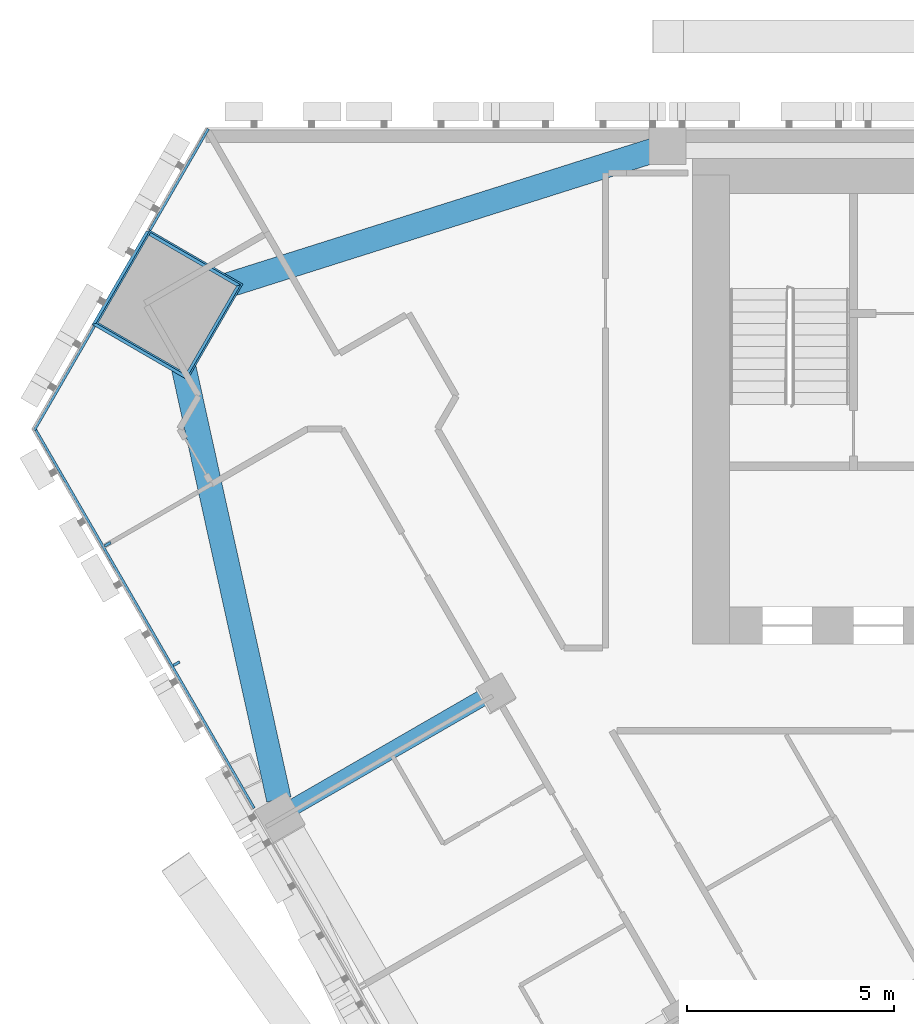
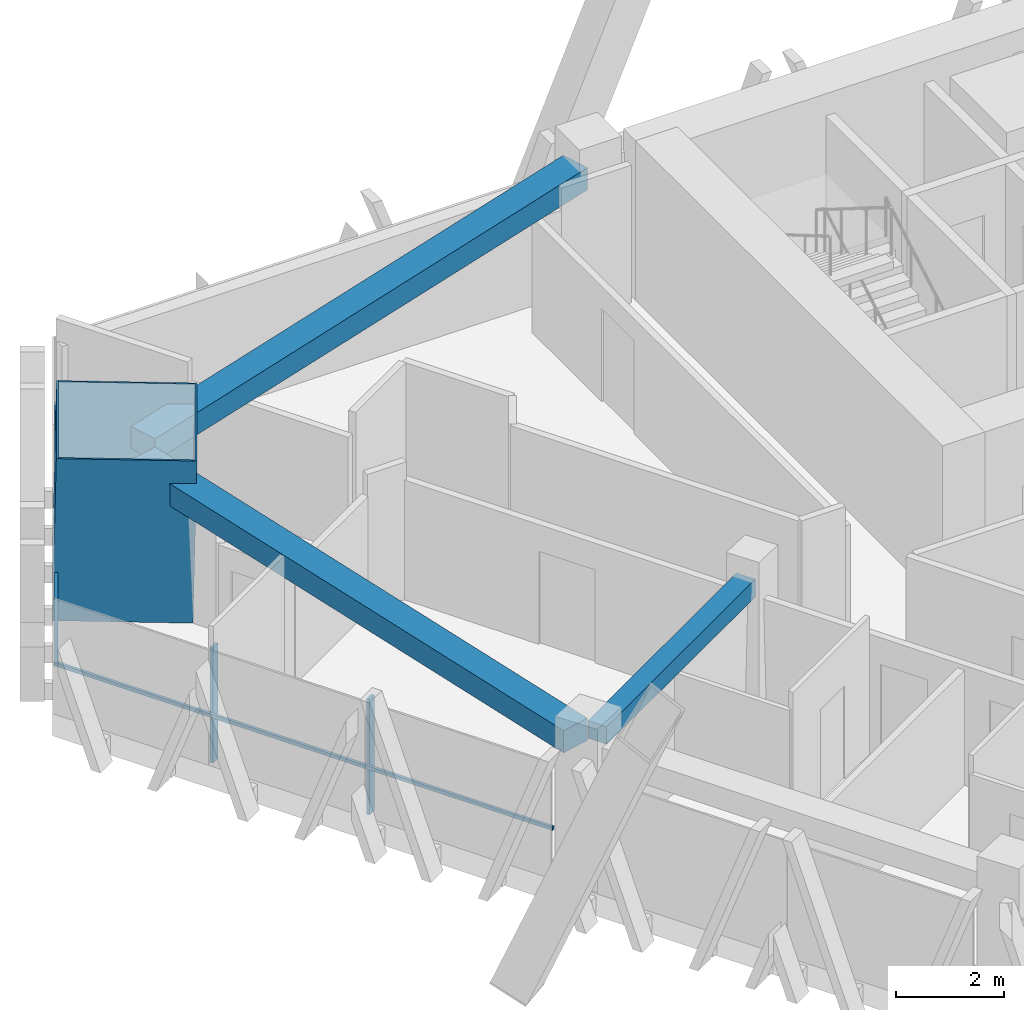
# One storey, part 12 of 23: 6 members, 3 beams, 2 elements without a shape of their own.
"""IFC4 building model written with IfcOpenShell, lengths in metres."""

from ifc_helpers import new_model, si_unit, direction, frame, origin, origin_2d, place, context, subcontext, project, spatial, rectangle, hollow_rectangle, extrude, material, layer, layer_set, material_profile, profile_set, type_object, element, aggregate, save


model = new_model("IFC4")

# Units and contexts
model_context = context("Model", 3, precision=1e-05, world=origin(), true_north=direction((0.0, 1.0)))
body_context = subcontext(model_context, "Body", "Model", "MODEL_VIEW")
ifc_project = project(units=[si_unit("LENGTHUNIT", "METRE"), si_unit("AREAUNIT", "SQUARE_METRE"), si_unit("VOLUMEUNIT", "CUBIC_METRE"), si_unit("PLANEANGLEUNIT", "RADIAN"), si_unit("MASSUNIT", "GRAM", prefix="KILO")], contexts=[model_context])

# Site, building, storey
site_placement = place(None, origin())
site = spatial("IfcSite", under=ifc_project, at=site_placement, CompositionType="ELEMENT")
building_placement = place(site_placement, origin())
building = spatial("IfcBuilding", under=site, at=building_placement, Name="Altiplano Prism Tower", CompositionType="ELEMENT")
storey_placement = place(building_placement, frame((0.0, 0.0, 100.800048828125)))
storey = spatial("IfcBuildingStorey", under=building, at=storey_placement, Name="L25", CompositionType="ELEMENT", Elevation=100.800048828125)

# Curtain wall, members
ifc_material_1 = material(Name="Aluminium and glass", Category="aluminium")
ifc_layer = layer(ifc_material_1, 0.280029296875)
ifc_layer_set = layer_set([ifc_layer], Name="Aluminium and glass")
curtain_wall_type = type_object("IfcCurtainWallType", Name="CW1 typical co-living unitised curtain wall", PredefinedType="NOTDEFINED", material=ifc_layer_set)
curtain_wall_1_placement = place(storey_placement, origin())
curtain_wall_1 = element("IfcCurtainWall", 1, at=curtain_wall_1_placement, inside=storey, type_object=curtain_wall_type, Name="CW1 curtain wall south-west face L25", PredefinedType="NOTDEFINED")
ifc_material_2 = material(Name="Aluminium", Category="aluminium")
ifc_material_profile_1 = material_profile(ifc_material_2, rectangle(XDim=0.179931640625, YDim=0.06494140625, at=origin_2d()), Name="CW1 mullion 65 x 180")
ifc_profile_set_1 = profile_set([ifc_material_profile_1], Name="Aluminium")
member_type_1 = type_object("IfcMemberType", Name="CW1 mullion 65 x 180", PredefinedType="MULLION", material=ifc_profile_set_1)
member_1_placement = place(storey_placement, frame((57.949951171875, 94.912353515625, 0.0), z_axis=(0.0, 0.0, 1.0), x_axis=(0.866025402825, 0.500000001663, 0.0)))
member_1 = element("IfcMember", 2, at=member_1_placement, type_object=member_type_1, Name="CW1 mullion", PredefinedType="MULLION", context=body_context, shape_type="SweptSolid", body=[
    extrude(rectangle(XDim=0.179931640625, YDim=0.06494140625, at=origin_2d()), origin(), (0.0, 0.0, 1.0), 2.599853515625),
])
member_2_placement = place(storey_placement, frame((59.617919921875, 92.023681640625, 0.0), z_axis=(0.0, 0.0, 1.0), x_axis=(0.866025402825, 0.500000001663, 0.0)))
member_2 = element("IfcMember", 3, at=member_2_placement, type_object=member_type_1, Name="CW1 mullion", PredefinedType="MULLION", context=body_context, shape_type="SweptSolid", body=[
    extrude(rectangle(XDim=0.179931640625, YDim=0.06494140625, at=origin_2d()), origin(), (0.0, 0.0, 1.0), 2.599853515625),
])

curtain_wall_2_placement = place(storey_placement, origin())
curtain_wall_2 = element("IfcCurtainWall", 4, at=curtain_wall_2_placement, inside=storey, type_object=curtain_wall_type, Name="CW1 curtain wall north-west chamfer L25", PredefinedType="NOTDEFINED")
ifc_material_profile_2 = material_profile(ifc_material_2, rectangle(XDim=0.06005859375, YDim=0.080078125, at=origin_2d()), Name="CW1 transom 80 x 60")
ifc_profile_set_2 = profile_set([ifc_material_profile_2], Name="Aluminium")
member_type_2 = type_object("IfcMemberType", Name="CW1 transom 80 x 60", PredefinedType="USERDEFINED", material=ifc_profile_set_2)
member_3_placement = place(storey_placement, frame((60.38916015625, 104.965087890625, 1.099853515625), z_axis=(-0.499978737809, -0.866037679168, 0.0), x_axis=(0.866037679168, -0.499978737809, 0.0)))
member_3 = element("IfcMember", 5, at=member_3_placement, type_object=member_type_2, Name="CW1 transom", ObjectType="TRANSOM", PredefinedType="USERDEFINED", context=body_context, shape_type="SweptSolid", body=[
    extrude(rectangle(XDim=0.06005859375, YDim=0.080078125, at=origin_2d()), origin(), (0.0, 0.0, 1.0), 2.8310546875),
])
member_4_placement = place(storey_placement, frame((57.6337890625, 100.1923828125, 1.099853515625), z_axis=(-0.499981368203, -0.86603616059, 0.0), x_axis=(0.86603616059, -0.499981368203, 0.0)))
member_4 = element("IfcMember", 6, at=member_4_placement, type_object=member_type_2, Name="CW1 transom", ObjectType="TRANSOM", PredefinedType="USERDEFINED", context=body_context, shape_type="SweptSolid", body=[
    extrude(rectangle(XDim=0.06005859375, YDim=0.080078125, at=origin_2d()), origin(), (0.0, 0.0, 1.0), 2.9111328125),
])
aggregate(curtain_wall_2, [member_3, member_4])

# Member
member_5_placement = place(storey_placement, frame((56.17822265625, 97.7412109375, 1.099853515625), z_axis=(0.499993198119, -0.866029330816, 0.0), x_axis=(0.866029330816, 0.499993198119, 0.0)))
member_5 = element("IfcMember", 7, at=member_5_placement, type_object=member_type_2, Name="CW1 transom", ObjectType="TRANSOM", PredefinedType="USERDEFINED", context=body_context, shape_type="SweptSolid", body=[
    extrude(rectangle(XDim=0.06005859375, YDim=0.080078125, at=origin_2d()), origin(), (0.0, 0.0, 1.0), 10.641845703125),
])

aggregate(curtain_wall_1, [member_1, member_2, member_5])

# Beams
ifc_material_3 = material(Name="Concrete C60/75", Category="concrete")
ifc_material_profile_3 = material_profile(ifc_material_3, rectangle(XDim=0.60009765625, YDim=0.5, at=origin_2d()), Name="Edge beam 600x500")
ifc_profile_set_3 = profile_set([ifc_material_profile_3], Name="Concrete C60/75")
beam_type_1 = type_object("IfcBeamType", Name="Edge beam 600x500", PredefinedType="SPANDREL", material=ifc_profile_set_3)
beam_1_placement = place(storey_placement, frame((71.164306640625, 104.44384765625, 2.849853515625), z_axis=(-0.953385750598, -0.301754222101, 0.0), x_axis=(0.301754222101, -0.953385750598, 0.0)))
element("IfcBeam", 8, at=beam_1_placement, inside=storey, type_object=beam_type_1, Name="Edge beam P04-M0 L26", PredefinedType="SPANDREL", context=body_context, shape_type="SweptSolid", body=[
    extrude(rectangle(XDim=0.60009765625, YDim=0.5, at=origin_2d()), origin(), (0.0, 0.0, 1.0), 11.8359375),
])
beam_2_placement = place(storey_placement, frame((59.548095703125, 100.297119140625, 2.849853515625), z_axis=(0.215364241874, -0.976533790159, 0.0), x_axis=(0.976533790159, 0.215364241874, 0.0)))
element("IfcBeam", 9, at=beam_2_placement, inside=storey, type_object=beam_type_1, Name="Edge beam M0-P11 L26", PredefinedType="SPANDREL", context=body_context, shape_type="SweptSolid", body=[
    extrude(rectangle(XDim=0.60009765625, YDim=0.5, at=origin_2d()), origin(), (0.0, 0.0, 1.0), 11.836181640625),
])

# Member
ifc_material_4 = material(Name="Steel S460", Category="steel")
ifc_material_profile_4 = material_profile(ifc_material_4, hollow_rectangle(XDim=2.60009765625, YDim=2.60009765625, WallThickness=0.0400390625, at=origin_2d()), Name="Mega column tube 2600")
ifc_profile_set_4 = profile_set([ifc_material_profile_4], Name="Steel S460")
member_type_3 = type_object("IfcMemberType", Name="Mega column tube 2600", PredefinedType="POST", material=ifc_profile_set_4)
member_6_placement = place(storey_placement, frame((59.348876953125, 100.703125, 0.0), z_axis=(0.028403739082, 0.009219352065, 0.999554016126), x_axis=(-0.865121500753, 0.501164983388, 0.019961171317)))
element("IfcMember", 10, at=member_6_placement, inside=storey, type_object=member_type_3, Name="Mega column tube M0 L25", PredefinedType="POST", context=body_context, shape_type="SweptSolid", body=[
    extrude(hollow_rectangle(XDim=2.60009765625, YDim=2.60009765625, WallThickness=0.0400390625, at=origin_2d()), origin(), (0.0, 0.0, 1.0), 3.6015625),
])

# Beam
ifc_material_profile_5 = material_profile(ifc_material_3, rectangle(XDim=0.39990234375, YDim=0.39990234375, at=origin_2d()), Name="Tie beam 400x400")
ifc_profile_set_5 = profile_set([ifc_material_profile_5], Name="Concrete C60/75")
beam_type_2 = type_object("IfcBeamType", Name="Tie beam 400x400", PredefinedType="BEAM", material=ifc_profile_set_5)
beam_3_placement = place(storey_placement, frame((67.213134765625, 91.30517578125, 2.89990234375), z_axis=(-0.866012292785, -0.50002270823, 0.0), x_axis=(0.50002270823, -0.866012292785, 0.0)))
element("IfcBeam", 11, at=beam_3_placement, inside=storey, type_object=beam_type_2, Name="Tie beam I11 L26", PredefinedType="BEAM", context=body_context, shape_type="SweptSolid", body=[
    extrude(rectangle(XDim=0.39990234375, YDim=0.39990234375, at=origin_2d()), origin(), (0.0, 0.0, 1.0), 5.489990234375),
])

save(model, "model.ifc")
